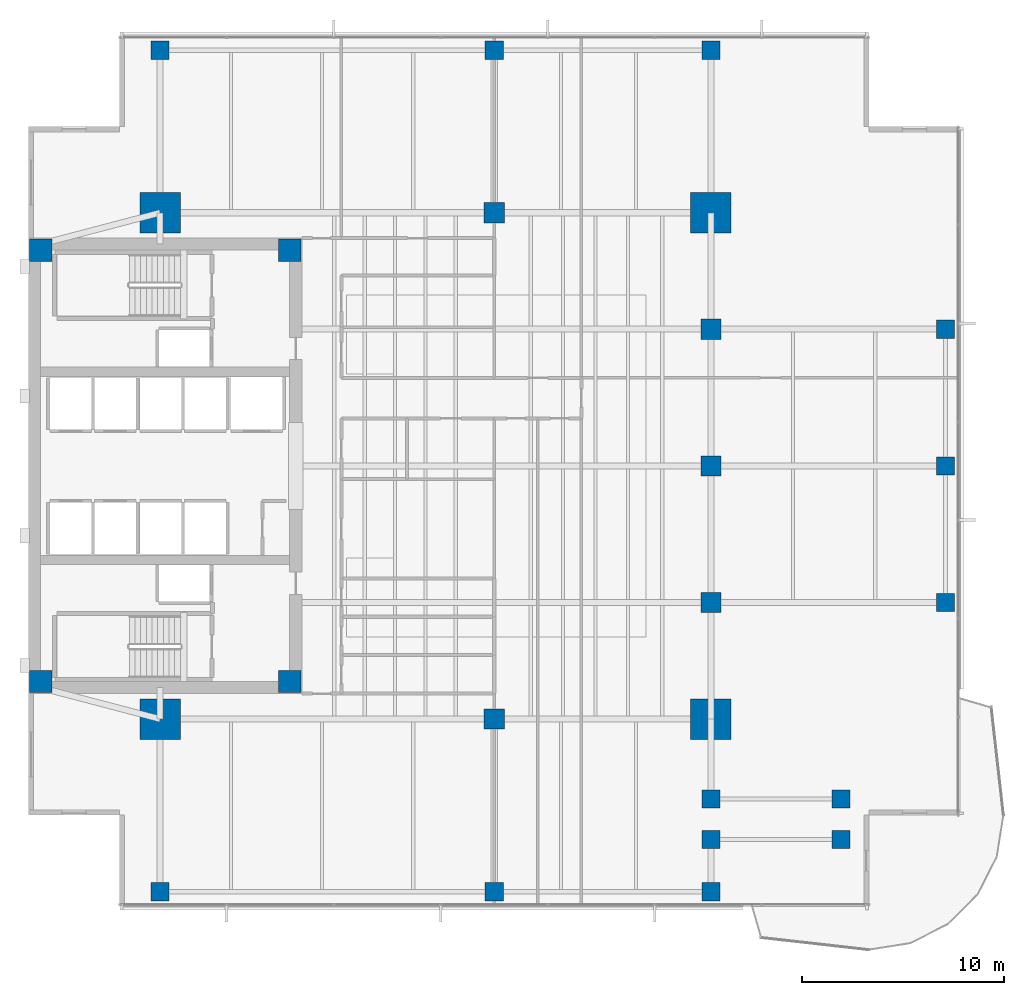
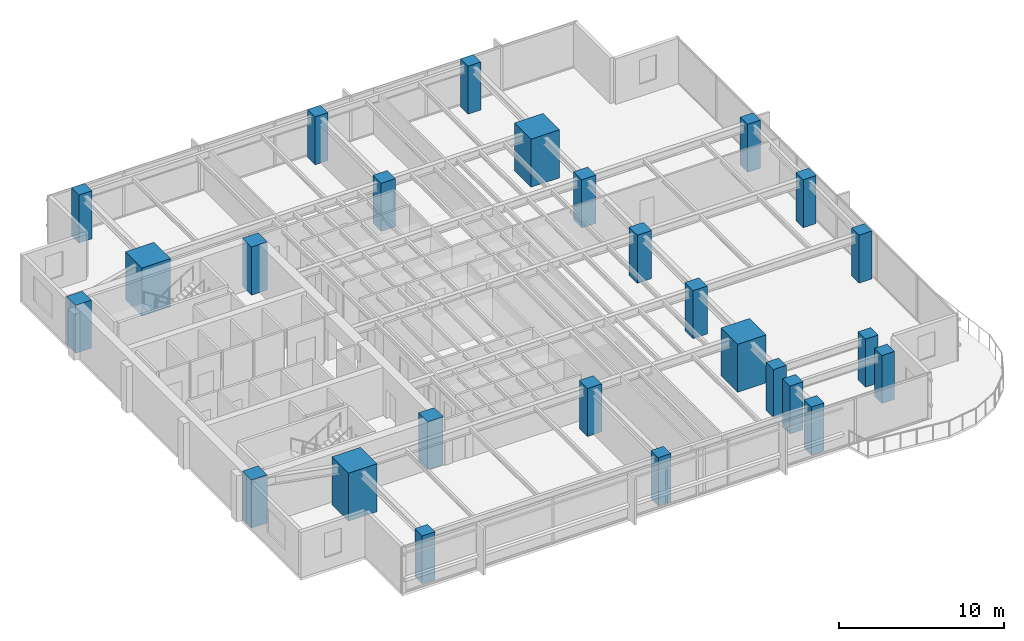
# One storey, part 1 of 14: 26 columns.
"""IFC4 building model written with IfcOpenShell, lengths in metres."""

import ifcopenshell
import ifcopenshell.guid

model = None  # the IFC model being written
_history = None  # IfcOwnerHistory: only IFC2X3 demands one
_inside = {}  # id of a spatial element -> (the spatial element, [elements in it])
_under = {}  # id of a project, library or spatial element -> (it, [spatial elements below it])
_declared = {}  # id of a project -> (the project, [libraries it declares])
_typed = {}  # id of a type object -> (the type object, [elements of that type])
_made_of = {}  # id of a material, layer set ... -> (it, [elements and type objects made of it])


def new_model(schema):
    """Start an empty IFC model of exactly this schema.

    Asked for "IFC4X3", IfcOpenShell would pick the latest addendum, in which some entities
    have other attributes; the version numbers below select the first issue.
    IFC2X3 requires an IfcOwnerHistory on every rooted entity: one is made here for all.
    """
    global model, _history
    if schema == "IFC4X3":
        model = ifcopenshell.file(schema_version=(4, 3, 0, 0))
    else:
        model = ifcopenshell.file(schema=schema)
    _inside.clear()
    _under.clear()
    _declared.clear()
    _typed.clear()
    _made_of.clear()
    _history = None
    if model.schema == "IFC2X3":
        org = make("IfcOrganization", Name="unknown")
        user = make(
            "IfcPersonAndOrganization",
            ThePerson=make("IfcPerson", FamilyName="unknown"),
            TheOrganization=org,
        )
        app = make(
            "IfcApplication",
            ApplicationDeveloper=org,
            Version="unknown",
            ApplicationFullName="unknown",
            ApplicationIdentifier="unknown",
        )
        _history = make(
            "IfcOwnerHistory",
            OwningUser=user,
            OwningApplication=app,
            ChangeAction="ADDED",
            CreationDate=0,
        )
    return model


def make(cls, **values):
    """One entity of the class cls with the attributes given. An attribute that is None is left unset."""
    return model.create_entity(
        cls, **{name: value for name, value in values.items() if value is not None}
    )


def rooted(cls, **values):
    """An entity with a GlobalId (a new one), such as an element, a storey or a relation."""
    return make(cls, GlobalId=ifcopenshell.guid.new(), OwnerHistory=_history, **values)


def si_unit(unit_type, name, prefix=None):
    """IfcSIUnit, for example si_unit("LENGTHUNIT", "METRE", prefix="MILLI")."""
    return make("IfcSIUnit", UnitType=unit_type, Prefix=prefix, Name=name)


def assignment(units):
    """IfcUnitAssignment: the units of a project."""
    return None if units is None else make("IfcUnitAssignment", Units=units)


def point(xyz):
    """IfcCartesianPoint."""
    return None if xyz is None else make("IfcCartesianPoint", Coordinates=xyz)


def direction(xyz):
    """IfcDirection."""
    return None if xyz is None else make("IfcDirection", DirectionRatios=xyz)


def frame(location, z_axis=None, x_axis=None):
    """IfcAxis2Placement3D, a coordinate frame: its origin and axes. An axis left out is left unset."""
    return make(
        "IfcAxis2Placement3D",
        Location=point(location),
        Axis=direction(z_axis),
        RefDirection=direction(x_axis),
    )


def frame_2d(location, x_axis=None):
    """IfcAxis2Placement2D, a coordinate frame in the plane: its origin and x axis."""
    return make(
        "IfcAxis2Placement2D", Location=point(location), RefDirection=direction(x_axis)
    )


def origin():
    """The frame at (0, 0, 0) with its axes left unset."""
    return frame((0.0, 0.0, 0.0))


def origin_2d():
    """The frame at (0, 0) in the plane with its x axis left unset."""
    return frame_2d((0.0, 0.0))


def place(relative_to, where):
    """IfcLocalPlacement: puts the frame where relative to a parent placement (None: the world)."""
    return make(
        "IfcLocalPlacement", PlacementRelTo=relative_to, RelativePlacement=where
    )


def context(
    kind, dimensions, precision=None, world=None, true_north=None, identifier=None
):
    """IfcGeometricRepresentationContext, for example the 3D "Model" context."""
    return make(
        "IfcGeometricRepresentationContext",
        ContextIdentifier=identifier,
        ContextType=kind,
        CoordinateSpaceDimension=dimensions,
        Precision=precision,
        WorldCoordinateSystem=world,
        TrueNorth=true_north,
    )


def subcontext(parent, identifier, kind, view, scale=None):
    """IfcGeometricRepresentationSubContext, for example "Body" below "Model"."""
    return make(
        "IfcGeometricRepresentationSubContext",
        ContextIdentifier=identifier,
        ContextType=kind,
        ParentContext=parent,
        TargetScale=scale,
        TargetView=view,
    )


def project(units=None, contexts=None):
    """IfcProject with its units and contexts."""
    return rooted(
        "IfcProject",
        Name="project",
        RepresentationContexts=contexts,
        UnitsInContext=assignment(units),
    )


def spatial(cls, under=None, at=None, **own):
    """A site, building, storey or space (cls), placed at a placement, below another one or the project."""
    s = rooted(cls, ObjectPlacement=at, **own)
    if under is not None:
        _under.setdefault(under.id(), (under, []))[1].append(s)
    return s


def profile(cls, at=None, kind="AREA", **sizes):
    """A parametric profile (cls). Its sizes go by their IFC names, for example OverallWidth=200.0."""
    return make(cls, ProfileType=kind, Position=at, **sizes)


def rectangle(**sizes):
    """IfcRectangleProfileDef."""
    return profile("IfcRectangleProfileDef", **sizes)


def extrude(swept, where, along, depth):
    """IfcExtrudedAreaSolid: the profile swept, set in the frame where, extruded along a direction by depth."""
    return make(
        "IfcExtrudedAreaSolid",
        SweptArea=swept,
        Position=where,
        ExtrudedDirection=direction(along),
        Depth=depth,
    )


def shape(context_of_items, identifier, shape_type, items):
    """IfcShapeRepresentation: the items that make up one representation, for example the "Body"."""
    return make(
        "IfcShapeRepresentation",
        ContextOfItems=context_of_items,
        RepresentationIdentifier=identifier,
        RepresentationType=shape_type,
        Items=items,
    )


def material(Name=None, Category=None):
    """IfcMaterial."""
    return make("IfcMaterial", Name=Name, Category=Category)


def material_profile(
    of_material, cross_section, Name=None, Category=None, Priority=None
):
    """IfcMaterialProfile: a cross section and its material."""
    return make(
        "IfcMaterialProfile",
        Name=Name,
        Material=of_material,
        Profile=cross_section,
        Priority=Priority,
        Category=Category,
    )


def profile_set(profiles, Name=None, composite=None):
    """IfcMaterialProfileSet."""
    return make(
        "IfcMaterialProfileSet",
        Name=Name,
        MaterialProfiles=profiles,
        CompositeProfile=composite,
    )


def made_of(thing, what):
    """Note that an element or type object is made of a material, layer set ...; save() writes the relation."""
    if what is not None:
        _made_of.setdefault(what.id(), (what, []))[1].append(thing)
    return thing


def type_object(cls, material=None, **own):
    """A type object (cls), such as IfcWallType, which elements share."""
    return made_of(rooted(cls, **own), material)


def element(
    cls,
    number,
    at=None,
    inside=None,
    cuts=None,
    type_object=None,
    material=None,
    context=None,
    identifier="Body",
    shape_type=None,
    held_by="IfcProductDefinitionShape",
    body=None,
    shapes=None,
    **own,
):
    """One element of the class cls, such as IfcWall. Its Tag is "e" and its number.

    at: its placement. inside: the storey or other place that contains it. cuts: it is an
    opening in that element (IfcRelVoidsElement). A single representation is given by context,
    identifier, shape_type and body (its items); several are given by shapes. held_by: the class
    of the entity that holds the representations. save() writes the other relations.
    """
    e = rooted(cls, Tag="e%d" % number, ObjectPlacement=at, **own)
    if body is not None:
        shapes = [shape(context, identifier, shape_type, body)]
    if shapes is not None:
        e.Representation = make(held_by, Representations=shapes)
    if inside is not None:
        _inside.setdefault(inside.id(), (inside, []))[1].append(e)
    if cuts is not None:
        rooted(
            "IfcRelVoidsElement", RelatingBuildingElement=cuts, RelatedOpeningElement=e
        )
    if type_object is not None:
        _typed.setdefault(type_object.id(), (type_object, []))[1].append(e)
    return made_of(e, material)


def aggregate(whole, parts):
    """IfcRelAggregates: a whole, such as a stair, and the parts it consists of."""
    return rooted("IfcRelAggregates", RelatingObject=whole, RelatedObjects=parts)


def save(model, path):
    """Write the relations noted so far, then the file.

    IfcRelAggregates (storeys below a building ...), IfcRelContainedInSpatialStructure (elements
    in a storey), IfcRelDefinesByType, IfcRelAssociatesMaterial and IfcRelDeclares: one each for
    every whole, place, type object, material and project.
    """
    for whole, parts in _under.values():
        aggregate(whole, parts)
    for where, things in _inside.values():
        rooted(
            "IfcRelContainedInSpatialStructure",
            RelatedElements=things,
            RelatingStructure=where,
        )
    for kind, things in _typed.values():
        rooted("IfcRelDefinesByType", RelatedObjects=things, RelatingType=kind)
    for what, things in _made_of.values():
        rooted("IfcRelAssociatesMaterial", RelatedObjects=things, RelatingMaterial=what)
    for by, libraries in _declared.values():
        rooted("IfcRelDeclares", RelatingContext=by, RelatedDefinitions=libraries)
    model.write(path)


model = new_model("IFC4")

# Units and contexts
model_context = context("Model", 3, precision=1e-05, world=origin(), true_north=direction((0.0, 1.0)))
body_context = subcontext(model_context, "Body", "Model", "MODEL_VIEW")
ifc_project = project(units=[si_unit("LENGTHUNIT", "METRE"), si_unit("AREAUNIT", "SQUARE_METRE"), si_unit("VOLUMEUNIT", "CUBIC_METRE"), si_unit("PLANEANGLEUNIT", "RADIAN"), si_unit("MASSUNIT", "GRAM", prefix="KILO")], contexts=[model_context])

# Site, building, storey
site_placement = place(None, origin())
site = spatial("IfcSite", under=ifc_project, at=site_placement, CompositionType="ELEMENT")
building_placement = place(site_placement, origin())
building = spatial("IfcBuilding", under=site, at=building_placement, Name="Kinhvarn Gate Tower", CompositionType="ELEMENT")
storey_placement = place(building_placement, frame((0.0, 0.0, 162.60009765625)))
storey = spatial("IfcBuildingStorey", under=building, at=storey_placement, Name="L43", CompositionType="ELEMENT", Elevation=162.60009765625)

# Columns
ifc_material = material(Name="Concrete C60/75", Category="concrete")
ifc_material_profile_1 = material_profile(ifc_material, rectangle(XDim=2.0, YDim=2.0, at=origin_2d()), Name="RC 2000x2000")
ifc_profile_set_1 = profile_set([ifc_material_profile_1], Name="Concrete C60/75")
column_type_1 = type_object("IfcColumnType", Name="COL-MC-2000", PredefinedType="COLUMN", material=ifc_profile_set_1)
for number, where, z_axis, x_axis, name in (
    (1, (11.0, 12.75, 0.0), (0.0, 0.0, 1.0), (1.0, 0.0, 0.0), "Column MC1-L43 (MC-20)"),
    (2, (11.0, 37.75, 0.0), (0.0, 0.0, 1.0), (1.0, 0.0, 0.0), "Column MC4-L43 (MC-20)"),
    (3, (38.199951171875, 12.75, 0.0), (0.0, 0.0, 1.0), (1.0, 0.0, 0.0), "Column MC2-L43 (MC-20)"),
    (4, (38.199951171875, 37.75, 0.0), (0.0, 0.0, 1.0), (1.0, 0.0, 0.0), "Column MC3-L43 (MC-20)"),
):
    element("IfcColumn", number, at=place(storey_placement, frame(where, z_axis=z_axis, x_axis=x_axis)), inside=storey, type_object=column_type_1, Name=name, PredefinedType="COLUMN", context=body_context, shape_type="SweptSolid", body=[
        extrude(rectangle(XDim=2.0, YDim=2.0, at=origin_2d()), origin(), (0.0, 0.0, 1.0), 3.5498046875),
    ])
ifc_material_profile_2 = material_profile(ifc_material, rectangle(XDim=1.0, YDim=1.0, at=origin_2d()), Name="RC 1000x1000")
ifc_profile_set_2 = profile_set([ifc_material_profile_2], Name="Concrete C60/75")
column_type_2 = type_object("IfcColumnType", Name="COL-RC-1000", PredefinedType="COLUMN", material=ifc_profile_set_2)
for number, where, z_axis, x_axis, name in (
    (5, (27.5, 12.75, 0.0), (0.0, 0.0, 1.0), (1.0, 0.0, 0.0), "Column SP27-S-L43 (C-100)"),
    (6, (27.5, 37.75, 0.0), (0.0, 0.0, 1.0), (1.0, 0.0, 0.0), "Column SP27-N-L43 (C-100)"),
    (7, (38.199951171875, 18.5, 0.0), (0.0, 0.0, 1.0), (1.0, 0.0, 0.0), "Column SP38-E1-L43 (C-100)"),
    (8, (38.199951171875, 25.25, 0.0), (0.0, 0.0, 1.0), (1.0, 0.0, 0.0), "Column SP38-E2-L43 (C-100)"),
    (9, (38.199951171875, 32.0, 0.0), (0.0, 0.0, 1.0), (1.0, 0.0, 0.0), "Column SP38-E3-L43 (C-100)"),
):
    element("IfcColumn", number, at=place(storey_placement, frame(where, z_axis=z_axis, x_axis=x_axis)), inside=storey, type_object=column_type_2, Name=name, PredefinedType="COLUMN", context=body_context, shape_type="SweptSolid", body=[
        extrude(rectangle(XDim=1.0, YDim=1.0, at=origin_2d()), origin(), (0.0, 0.0, 1.0), 3.5498046875),
    ])
ifc_material_profile_3 = material_profile(ifc_material, rectangle(XDim=0.89990234375, YDim=0.89990234375, at=origin_2d()), Name="RC 900x900")
ifc_profile_set_3 = profile_set([ifc_material_profile_3], Name="Concrete C60/75")
column_type_3 = type_object("IfcColumnType", Name="COL-RC-900", PredefinedType="COLUMN", material=ifc_profile_set_3)
for number, where, z_axis, x_axis, name in (
    (10, (38.199951171875, 6.800048828125, 0.0), (0.0, 0.0, 1.0), (1.0, 0.0, 0.0), "Column CS-ANC68-L43 (C-090)"),
    (11, (38.199951171875, 8.800048828125, 0.0), (0.0, 0.0, 1.0), (1.0, 0.0, 0.0), "Column CS-ANC88-L43 (C-090)"),
    (12, (44.6201171875, 6.800048828125, 0.0), (0.0, 0.0, 1.0), (1.0, 0.0, 0.0), "Column CS-SE2-L43 (C-090)"),
    (13, (44.6201171875, 8.800048828125, 0.0), (0.0, 0.0, 1.0), (1.0, 0.0, 0.0), "Column CS-SE2B-L43 (C-090)"),
    (14, (49.780029296875, 18.5, 0.0), (0.0, 0.0, 1.0), (1.0, 0.0, 0.0), "Column CE-1-L43 (C-090)"),
    (15, (49.780029296875, 25.25, 0.0), (0.0, 0.0, 1.0), (1.0, 0.0, 0.0), "Column CE-2-L43 (C-090)"),
    (16, (49.780029296875, 32.0, 0.0), (0.0, 0.0, 1.0), (1.0, 0.0, 0.0), "Column CE-3-L43 (C-090)"),
    (17, (11.0, 4.219970703125, 0.0), (0.0, 0.0, 1.0), (1.0, 0.0, 0.0), "Column CS-0-L43 (C-090)"),
    (18, (27.5, 4.219970703125, 0.0), (0.0, 0.0, 1.0), (1.0, 0.0, 0.0), "Column CS-1-L43 (C-090)"),
    (19, (38.199951171875, 4.219970703125, 0.0), (0.0, 0.0, 1.0), (1.0, 0.0, 0.0), "Column CS-2-L43 (C-090)"),
    (20, (11.0, 45.780029296875, 0.0), (0.0, 0.0, 1.0), (1.0, 0.0, 0.0), "Column CN-0-L43 (C-090)"),
    (21, (27.5, 45.780029296875, 0.0), (0.0, 0.0, 1.0), (1.0, 0.0, 0.0), "Column CN-1-L43 (C-090)"),
    (22, (38.199951171875, 45.780029296875, 0.0), (0.0, 0.0, 1.0), (1.0, 0.0, 0.0), "Column CN-2-L43 (C-090)"),
):
    element("IfcColumn", number, at=place(storey_placement, frame(where, z_axis=z_axis, x_axis=x_axis)), inside=storey, type_object=column_type_3, Name=name, PredefinedType="COLUMN", context=body_context, shape_type="SweptSolid", body=[
        extrude(rectangle(XDim=0.89990234375, YDim=0.89990234375, at=origin_2d()), origin(), (0.0, 0.0, 1.0), 3.5498046875),
    ])
ifc_material_profile_4 = material_profile(ifc_material, rectangle(XDim=1.10009765625, YDim=1.10009765625, at=origin_2d()), Name="RC 1100x1100")
ifc_profile_set_4 = profile_set([ifc_material_profile_4], Name="Concrete C60/75")
column_type_4 = type_object("IfcColumnType", Name="PIL-RC-1100", PredefinedType="PILASTER", material=ifc_profile_set_4)
for number, where, z_axis, x_axis, name in (
    (23, (5.10009765625, 14.60009765625, 0.0), (0.0, 0.0, 1.0), (1.0, 0.0, 0.0), "Column CC-SW-L43 (CP-110)"),
    (24, (5.10009765625, 35.89990234375, 0.0), (0.0, 0.0, 1.0), (1.0, 0.0, 0.0), "Column CC-NW-L43 (CP-110)"),
    (25, (17.39990234375, 14.60009765625, 0.0), (0.0, 0.0, 1.0), (1.0, 0.0, 0.0), "Column CC-SE-L43 (CP-110)"),
    (26, (17.39990234375, 35.89990234375, 0.0), (0.0, 0.0, 1.0), (1.0, 0.0, 0.0), "Column CC-NE-L43 (CP-110)"),
):
    element("IfcColumn", number, at=place(storey_placement, frame(where, z_axis=z_axis, x_axis=x_axis)), inside=storey, type_object=column_type_4, Name=name, PredefinedType="PILASTER", context=body_context, shape_type="SweptSolid", body=[
        extrude(rectangle(XDim=1.10009765625, YDim=1.10009765625, at=origin_2d()), origin(), (0.0, 0.0, 1.0), 3.5498046875),
    ])

save(model, "model.ifc")
